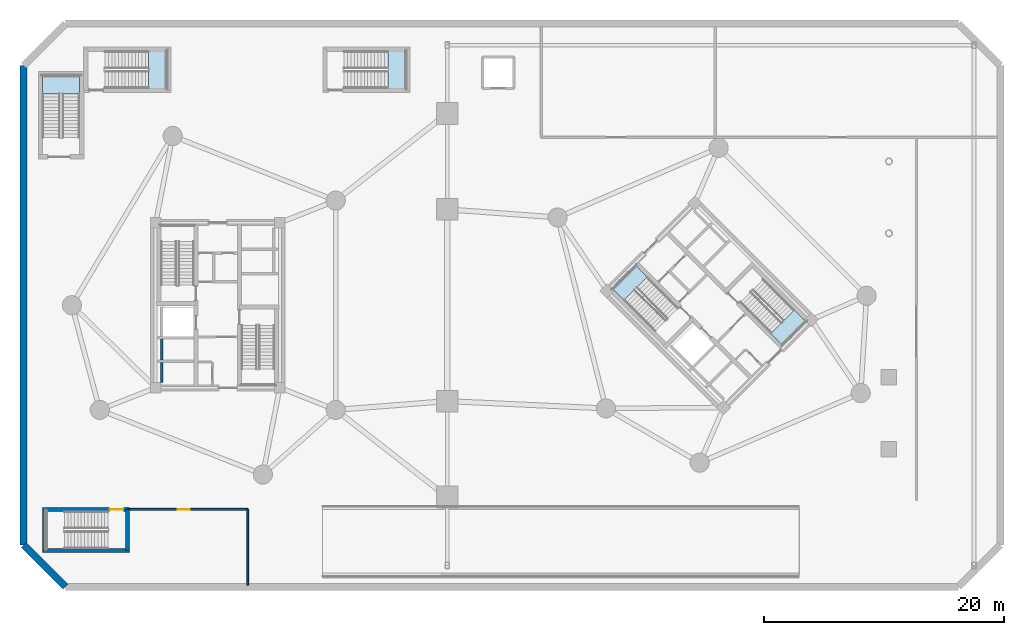
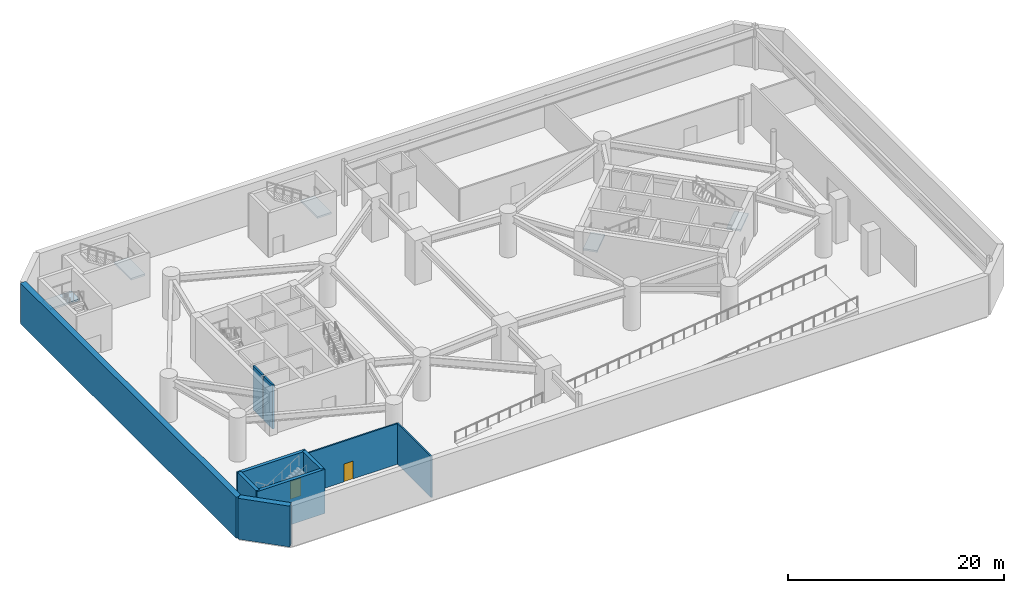
# One storey, part 4 of 14: 10 walls, 5 slabs, 2 doors, 2 openings, 5 elements without a shape of their own.
"""IFC4 building model written with IfcOpenShell, lengths in metres."""

from ifc_helpers import new_model, si_unit, direction, frame, frame_2d, origin, place, context, subcontext, project, spatial, polyline, rectangle, outline, extrude, source, transform, mapped, material, layer, layer_set, type_object, element, fill, aggregate, save


model = new_model("IFC4")

# Units and contexts
model_context = context("Model", 3, precision=1e-05, world=origin(), true_north=direction((0.0, 1.0)))
body_context = subcontext(model_context, "Body", "Model", "MODEL_VIEW")
ifc_project = project(units=[si_unit("LENGTHUNIT", "METRE"), si_unit("AREAUNIT", "SQUARE_METRE"), si_unit("VOLUMEUNIT", "CUBIC_METRE"), si_unit("PLANEANGLEUNIT", "RADIAN"), si_unit("MASSUNIT", "GRAM", prefix="KILO")], contexts=[model_context])

# Site, building, storey
site_placement = place(None, origin())
site = spatial("IfcSite", under=ifc_project, at=site_placement, CompositionType="ELEMENT")
building_placement = place(site_placement, origin())
building = spatial("IfcBuilding", under=site, at=building_placement, Name="Cununo Teusaquillo Station Towers", CompositionType="ELEMENT")
storey_placement = place(building_placement, frame((0.0, 0.0, -5.0)))
storey = spatial("IfcBuildingStorey", under=building, at=storey_placement, Name="B01", CompositionType="ELEMENT", Elevation=-5.0)

# Stair, slab
ifc_material_1 = material(Name="Concrete C50/60", Category="concrete")
stair_type_1 = type_object("IfcStairType", Name="ST-TWR-1300", PredefinedType="HALF_TURN_STAIR", material=ifc_material_1)
stair_1_placement = place(storey_placement, origin())
stair_1 = element("IfcStair", 1, at=stair_1_placement, inside=storey, type_object=stair_type_1, Name="B01 Tower B Protected Core Exit Stair 1", PredefinedType="HALF_TURN_STAIR")
ifc_material_2 = material(Name="Concrete C50/60", Category="concrete")
ifc_layer_1 = layer(ifc_material_2, 0.199951171875)
ifc_layer_set_1 = layer_set([ifc_layer_1], Name="Concrete C50/60")
slab_type = type_object("IfcSlabType", Name="SLB-STAIR-LND", PredefinedType="LANDING", material=ifc_layer_set_1)
slab_1_placement = place(storey_placement, frame((0.0, 0.0, 2.300048828125)))
slab_1 = element("IfcSlab", 2, at=slab_1_placement, type_object=slab_type, Name="ST-T2-1 landing 1", PredefinedType="LANDING", context=body_context, shape_type="SweptSolid", body=[
    extrude(outline(polyline([(52.34521484375, 26.854736328125), (51.390625, 27.809326171875), (49.43896484375, 25.857666015625), (50.3935546875, 24.903076171875), (52.34521484375, 26.854736328125)])), origin(), (0.0, 0.0, 1.0), 0.199951171875),
])
aggregate(stair_1, [slab_1])

stair_2_placement = place(storey_placement, origin())
stair_2 = element("IfcStair", 3, at=stair_2_placement, inside=storey, type_object=stair_type_1, Name="B01 Tower B Protected Core Exit Stair 2", PredefinedType="HALF_TURN_STAIR")
slab_2_placement = place(storey_placement, frame((0.0, 0.0, 2.300048828125)))
slab_2 = element("IfcSlab", 4, at=slab_2_placement, type_object=slab_type, Name="ST-T2-2 landing 1", PredefinedType="LANDING", context=body_context, shape_type="SweptSolid", body=[
    extrude(outline(polyline([(62.65478515625, 22.145263671875), (63.609375, 21.190673828125), (65.56103515625, 23.142333984375), (64.6064453125, 24.096923828125), (62.65478515625, 22.145263671875)])), origin(), (0.0, 0.0, 1.0), 0.199951171875),
])
aggregate(stair_2, [slab_2])

ifc_material_3 = material(Name="Concrete C50/60", Category="concrete")
stair_type_2 = type_object("IfcStairType", Name="ST-POD-1450", PredefinedType="HALF_TURN_STAIR", material=ifc_material_3)
stair_3_placement = place(storey_placement, origin())
stair_3 = element("IfcStair", 5, at=stair_3_placement, inside=storey, type_object=stair_type_2, Name="B01 Station Podium North Protected Exit Stair", PredefinedType="HALF_TURN_STAIR")
slab_3_placement = place(storey_placement, frame((0.0, 0.0, 2.300048828125)))
slab_3 = element("IfcSlab", 6, at=slab_3_placement, type_object=slab_type, Name="ST-POD-N landing 1", PredefinedType="LANDING", context=body_context, shape_type="SweptSolid", body=[
    extrude(outline(polyline([(30.68994140625, 42.60009765625), (32.199951171875, 42.60009765625), (32.199951171875, 45.699951171875), (30.68994140625, 45.699951171875), (30.68994140625, 42.60009765625)])), origin(), (0.0, 0.0, 1.0), 0.199951171875),
])
aggregate(stair_3, [slab_3])

stair_4_placement = place(storey_placement, origin())
stair_4 = element("IfcStair", 7, at=stair_4_placement, inside=storey, type_object=stair_type_2, Name="B01 Station Podium West Protected Exit Stair", PredefinedType="HALF_TURN_STAIR")
slab_4_placement = place(storey_placement, frame((0.0, 0.0, 2.300048828125)))
slab_4 = element("IfcSlab", 8, at=slab_4_placement, type_object=slab_type, Name="ST-POD-W landing 1", PredefinedType="LANDING", context=body_context, shape_type="SweptSolid", body=[
    extrude(outline(polyline([(4.97998046875, 42.139892578125), (4.97998046875, 43.64990234375), (1.8798828125, 43.64990234375), (1.8798828125, 42.139892578125), (4.97998046875, 42.139892578125)])), origin(), (0.0, 0.0, 1.0), 0.199951171875),
])
aggregate(stair_4, [slab_4])

stair_5_placement = place(storey_placement, origin())
stair_5 = element("IfcStair", 9, at=stair_5_placement, inside=storey, type_object=stair_type_2, Name="B01 Station Podium North-West Protected Exit Stair", PredefinedType="HALF_TURN_STAIR")
slab_5_placement = place(storey_placement, frame((0.0, 0.0, 2.300048828125)))
slab_5 = element("IfcSlab", 10, at=slab_5_placement, type_object=slab_type, Name="ST-POD-C landing 1", PredefinedType="LANDING", context=body_context, shape_type="SweptSolid", body=[
    extrude(outline(polyline([(10.739990234375, 42.60009765625), (12.25, 42.60009765625), (12.25, 45.699951171875), (10.739990234375, 45.699951171875), (10.739990234375, 42.60009765625)])), origin(), (0.0, 0.0, 1.0), 0.199951171875),
])
aggregate(stair_5, [slab_5])

# Walls
ifc_material_4 = material(Name="Concrete C50/60", Category="concrete")
ifc_layer_2 = layer(ifc_material_4, 0.199951171875)
ifc_layer_set_2 = layer_set([ifc_layer_2], Name="Concrete C50/60")
wall_type_1 = type_object("IfcWallType", Name="WL-CORE-200", PredefinedType="SHEAR", material=ifc_layer_set_2)
wall_1_placement = place(storey_placement, frame((11.820068359375, 19.945068359375, 0.0), z_axis=(0.0, 0.0, 1.0), x_axis=(0.0, 1.0, 0.0)))
element("IfcWall", 11, at=wall_1_placement, inside=storey, type_object=wall_type_1, Name="B01 Tower A High-Rise Lift 2 Shaft Rear Shear Wall", PredefinedType="SHEAR", context=body_context, shape_type="SweptSolid", body=[
    extrude(rectangle(XDim=1.73486328125, YDim=0.199951171875, at=frame_2d((0.867431640625, 0.0))), origin(), (0.0, 0.0, 1.0), 5.0),
])
wall_2_placement = place(storey_placement, frame((11.820068359375, 18.070068359375, 0.0), z_axis=(0.0, 0.0, 1.0), x_axis=(0.0, 1.0, 0.0)))
element("IfcWall", 12, at=wall_2_placement, inside=storey, type_object=wall_type_1, Name="B01 Tower A High-Rise Lift 1 Shaft Rear Shear Wall", PredefinedType="SHEAR", context=body_context, shape_type="SweptSolid", body=[
    extrude(rectangle(XDim=1.635009765625, YDim=0.199951171875, at=frame_2d((0.8173828125, 0.0))), origin(), (0.0, 0.0, 1.0), 5.0),
])
ifc_material_5 = material(Name="Concrete C50/60", Category="concrete")
ifc_layer_3 = layer(ifc_material_5, 0.35009765625)
ifc_layer_set_3 = layer_set([ifc_layer_3], Name="Concrete C50/60")
wall_type_2 = type_object("IfcWallType", Name="WL-CORE-350", PredefinedType="SHEAR", material=ifc_layer_set_3)
wall_3_placement = place(storey_placement, frame((1.860107421875, 4.034912109375, 0.0), z_axis=(0.0, 0.0, 1.0), x_axis=(1.0, 0.0, 0.0)))
element("IfcWall", 13, at=wall_3_placement, inside=storey, type_object=wall_type_2, Name="B01 Podium South Exit Stair Concrete Shaft Wall S", PredefinedType="SHEAR", context=body_context, shape_type="SweptSolid", body=[
    extrude(rectangle(XDim=7.27978515625, YDim=0.35009765625, at=frame_2d((3.639892578125, 0.0))), origin(), (0.0, 0.0, 1.0), 5.0),
])

# Wall, opening, door
wall_4_placement = place(storey_placement, frame((1.860107421875, 7.465087890625, 0.0), z_axis=(0.0, 0.0, 1.0), x_axis=(1.0, 0.0, 0.0)))
wall_4 = element("IfcWall", 14, at=wall_4_placement, inside=storey, type_object=wall_type_2, Name="B01 Podium South Exit Stair Concrete Shaft Wall N", PredefinedType="SHEAR", context=body_context, shape_type="SweptSolid", body=[
    extrude(rectangle(XDim=7.27978515625, YDim=0.35009765625, at=frame_2d((3.639892578125, 0.0))), origin(), (0.0, 0.0, 1.0), 5.0),
])
shared_shape_1 = source(origin(), body_context, "Body", "SweptSolid", [
    extrude(rectangle(XDim=1.14990234375, YDim=2.02001953125, at=frame_2d((0.574951171875, 1.010009765625))), frame((0.0, 0.18505859375, 0.0), z_axis=(0.0, -1.0, 0.0), x_axis=(1.0, 0.0, 0.0)), (0.0, 0.0, 1.0), 0.3701171875),
])
opening_1_placement = place(wall_4_placement, frame((5.6201171875, 0.0, 0.0)))
opening_1 = element("IfcOpeningElement", 15, at=opening_1_placement, cuts=wall_4, Name="Opening D-ST1", PredefinedType="OPENING", context=body_context, shape_type="MappedRepresentation", body=[
    mapped(shared_shape_1, transform((0.0, 0.0, 0.0), x_axis=(1.0, 0.0, 0.0), y_axis=(0.0, 1.0, 0.0), z_axis=(0.0, 0.0, 1.0), scale=1.0)),
])
ifc_material_6 = material(Name="Galvanised fire-rated hollow steel door assembly", Category="steel")
door_type_1 = type_object("IfcDoorType", Name="DR-STAIR-1150", OperationType="NOTDEFINED", PredefinedType="DOOR", material=ifc_material_6)
shared_shape_2 = source(origin(), body_context, "Body", "SweptSolid", [
    extrude(rectangle(XDim=1.14990234375, YDim=2.02001953125, at=frame_2d((0.574951171875, 1.010009765625))), frame((0.0, 0.02490234375, 0.0), z_axis=(0.0, -1.0, 0.0), x_axis=(1.0, 0.0, 0.0)), (0.0, 0.0, 1.0), 0.050048828125),
])
door_1_placement = place(opening_1_placement, origin())
door_1 = element("IfcDoor", 16, at=door_1_placement, inside=storey, type_object=door_type_1, Name="B01 South Podium Exit Stair Door", OperationType="SINGLE_SWING_LEFT", OverallHeight=2.02001953125, OverallWidth=1.14990234375, PredefinedType="DOOR", context=body_context, shape_type="MappedRepresentation", body=[
    mapped(shared_shape_2, transform((0.0, 0.0, 0.0), x_axis=(1.0, 0.0, 0.0), y_axis=(0.0, 1.0, 0.0), z_axis=(0.0, 0.0, 1.0), scale=1.0)),
])
fill(opening_1, door_1)

# Walls
for number, where, z_axis, x_axis, name in (
    (17, (2.034912109375, 4.034912109375, 0.0), (0.0, 0.0, 1.0), (0.0, 1.0, 0.0), "B01 Podium South Exit Stair Concrete Shaft Wall W"),
    (18, (8.965087890625, 4.034912109375, 0.0), (0.0, 0.0, 1.0), (0.0, 1.0, 0.0), "B01 Podium South Exit Stair Concrete Shaft Wall E"),
):
    element("IfcWall", number, at=place(storey_placement, frame(where, z_axis=z_axis, x_axis=x_axis)), inside=storey, type_object=wall_type_2, Name=name, PredefinedType="SHEAR", context=body_context, shape_type="SweptSolid", body=[
        extrude(rectangle(XDim=3.43017578125, YDim=0.35009765625, at=frame_2d((1.715087890625, 0.0))), origin(), (0.0, 0.0, 1.0), 5.0),
    ])

# Wall, opening, door
ifc_material_7 = material(Name="Fire-rated gypsum plasterboard partition assembly", Category="gypsum")
ifc_layer_4 = layer(ifc_material_7, 0.159912109375)
ifc_layer_set_4 = layer_set([ifc_layer_4], Name="Fire-rated gypsum plasterboard partition assembly")
wall_type_3 = type_object("IfcWallType", Name="WL-PART-160", PredefinedType="PARTITIONING", material=ifc_layer_set_4)
wall_5_placement = place(storey_placement, frame((8.97998046875, 7.465087890625, 0.0), z_axis=(0.0, 0.0, 1.0), x_axis=(1.0, 0.0, 0.0)))
wall_5 = element("IfcWall", 19, at=wall_5_placement, inside=storey, type_object=wall_type_3, Name="B01 Accessible Car-Park WC North Wall", PredefinedType="PARTITIONING", context=body_context, shape_type="SweptSolid", body=[
    extrude(rectangle(XDim=10.02001953125, YDim=0.159912109375, at=frame_2d((5.010009765625, 0.0))), origin(), (0.0, 0.0, 1.0), 4.60498046875),
])
shared_shape_3 = source(origin(), body_context, "Body", "SweptSolid", [
    extrude(rectangle(XDim=1.0, YDim=2.014892578125, at=frame_2d((0.5, 1.00732421875))), frame((0.0, 0.08984375, 0.0), z_axis=(0.0, -1.0, 0.0), x_axis=(1.0, 0.0, 0.0)), (0.0, 0.0, 1.0), 0.179931640625),
])
opening_2_placement = place(wall_5_placement, frame((4.199951171875, 0.0, 0.0)))
opening_2 = element("IfcOpeningElement", 20, at=opening_2_placement, cuts=wall_5, Name="Opening D-AC1", PredefinedType="OPENING", context=body_context, shape_type="MappedRepresentation", body=[
    mapped(shared_shape_3, transform((0.0, 0.0, 0.0), x_axis=(1.0, 0.0, 0.0), y_axis=(0.0, 1.0, 0.0), z_axis=(0.0, 0.0, 1.0), scale=1.0)),
])
ifc_material_8 = material(Name="Acoustic solid-core hardwood leaf assembly", Category="wood")
door_type_2 = type_object("IfcDoorType", Name="DR-ACC-1000", OperationType="NOTDEFINED", PredefinedType="DOOR", material=ifc_material_8)
shared_shape_4 = source(origin(), body_context, "Body", "SweptSolid", [
    extrude(rectangle(XDim=1.0, YDim=2.014892578125, at=frame_2d((0.5, 1.00732421875))), frame((0.0, 0.02490234375, 0.0), z_axis=(0.0, -1.0, 0.0), x_axis=(1.0, 0.0, 0.0)), (0.0, 0.0, 1.0), 0.050048828125),
])
door_2_placement = place(opening_2_placement, origin())
door_2 = element("IfcDoor", 21, at=door_2_placement, inside=storey, type_object=door_type_2, Name="B01 Car-Park Accessible WC & Shower Door", OperationType="SINGLE_SWING_RIGHT", OverallHeight=2.014892578125, OverallWidth=1.0, PredefinedType="DOOR", context=body_context, shape_type="MappedRepresentation", body=[
    mapped(shared_shape_4, transform((0.0, 0.0, 0.0), x_axis=(1.0, 0.0, 0.0), y_axis=(0.0, 1.0, 0.0), z_axis=(0.0, 0.0, 1.0), scale=1.0)),
])
fill(opening_2, door_2)

# Walls
wall_6_placement = place(storey_placement, frame((19.0, 1.14990234375, 0.0), z_axis=(0.0, 0.0, 1.0), x_axis=(0.0, 1.0, 0.0)))
element("IfcWall", 22, at=wall_6_placement, inside=storey, type_object=wall_type_3, Name="B01 Accessible Car-Park WC East Wall", PredefinedType="PARTITIONING", context=body_context, shape_type="SweptSolid", body=[
    extrude(rectangle(XDim=6.315185546875, YDim=0.159912109375, at=frame_2d((3.15771484375, 0.0))), origin(), (0.0, 0.0, 1.0), 4.60498046875),
])
ifc_material_9 = material(Name="Concrete C50/60", Category="concrete")
ifc_layer_5 = layer(ifc_material_9, 0.60009765625)
ifc_layer_set_5 = layer_set([ifc_layer_5], Name="Concrete C50/60")
wall_type_4 = type_object("IfcWallType", Name="WL-RET-600", PredefinedType="SOLIDWALL", material=ifc_layer_set_5)
wall_7_placement = place(storey_placement, frame((0.300048828125, 44.5, 0.0), z_axis=(0.0, 0.0, 1.0), x_axis=(0.0, -1.0, 0.0)))
element("IfcWall", 23, at=wall_7_placement, inside=storey, type_object=wall_type_4, Name="B01 Basement Diaphragm Retaining Wall 7", PredefinedType="SOLIDWALL", context=body_context, shape_type="SweptSolid", body=[
    extrude(rectangle(XDim=40.0, YDim=0.60009765625, at=frame_2d((20.0, 0.0))), origin(), (0.0, 0.0, 1.0), 4.6201171875),
])
wall_8_placement = place(storey_placement, frame((0.300048828125, 4.5, 0.0), z_axis=(0.0, 0.0, 1.0), x_axis=(0.707106781187, -0.707106781187, 0.0)))
element("IfcWall", 24, at=wall_8_placement, inside=storey, type_object=wall_type_4, Name="B01 Basement Diaphragm Retaining Wall 8", PredefinedType="SOLIDWALL", context=body_context, shape_type="SweptSolid", body=[
    extrude(rectangle(XDim=4.94970703125, YDim=0.60009765625, at=frame_2d((2.474853515625, 0.0))), origin(), (0.0, 0.0, 1.0), 4.6201171875),
])

save(model, "model.ifc")
